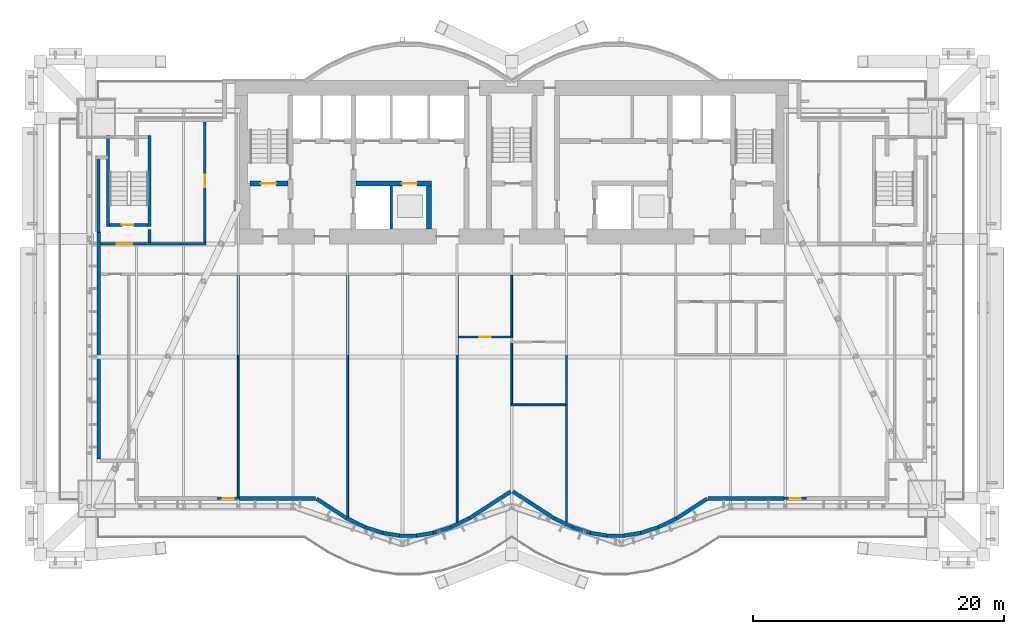
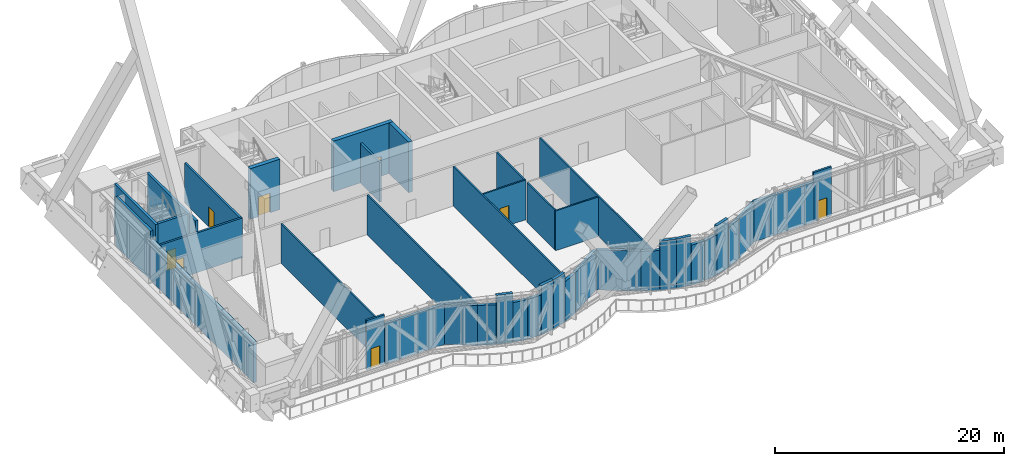
# One storey, part 24 of 32: 42 walls, 8 doors, 8 openings.
"""IFC4 building model written with IfcOpenShell, lengths in metres."""

from ifc_helpers import new_model, si_unit, direction, frame, frame_2d, origin, place, context, subcontext, project, spatial, rectangle, extrude, material, layer, layer_set, layer_usage, type_object, element, fill, save


model = new_model("IFC4")

# Units and contexts
model_context = context("Model", 3, precision=1e-05, world=origin(), true_north=direction((0.0, 1.0)))
body_context = subcontext(model_context, "Body", "Model", "MODEL_VIEW")
ifc_project = project(units=[si_unit("LENGTHUNIT", "METRE"), si_unit("AREAUNIT", "SQUARE_METRE"), si_unit("VOLUMEUNIT", "CUBIC_METRE"), si_unit("PLANEANGLEUNIT", "RADIAN"), si_unit("MASSUNIT", "GRAM", prefix="KILO")], contexts=[model_context])

# Site, building, storey
site_placement = place(None, origin())
site = spatial("IfcSite", under=ifc_project, at=site_placement, CompositionType="ELEMENT")
building_placement = place(site_placement, origin())
building = spatial("IfcBuilding", under=site, at=building_placement, Name="Bicima Exchange Tower", CompositionType="ELEMENT")
storey_placement = place(building_placement, frame((0.0, 0.0, 135.0)))
storey = spatial("IfcBuildingStorey", under=building, at=storey_placement, Name="L29", CompositionType="ELEMENT", Elevation=135.0)

# Wall, opening, door
ifc_material_1 = material(Name="Concrete C40/50", Category="concrete")
ifc_layer_1 = layer(ifc_material_1, 0.2)
ifc_layer_set_1 = layer_set([ifc_layer_1], Name="Concrete C40/50")
ifc_layer_usage_1 = layer_usage(ifc_layer_set_1, "AXIS2", "POSITIVE", -0.1)
wall_type_1 = type_object("IfcWallType", Name="Entrance frame wall 200", PredefinedType="STANDARD", material=ifc_layer_set_1)
wall_1_placement = place(storey_placement, frame((-21.64990234375, -33.238037109375, 0.0), z_axis=(0.0, 0.0, 1.0), x_axis=(-1.0, 0.0, 0.0)))
wall_1 = element("IfcWall", 1, at=wall_1_placement, inside=storey, type_object=wall_type_1, material=ifc_layer_usage_1, Name="Band door frame wall L29", PredefinedType="STANDARD", context=body_context, shape_type="SweptSolid", body=[
    extrude(rectangle(XDim=1.800048828125, YDim=0.199951171875, at=frame_2d((0.89990234375, 0.0))), origin(), (0.0, 0.0, 1.0), 5.25),
])
opening_1_placement = place(wall_1_placement, frame((0.449951171875, 0.0, 0.0)))
opening_1 = element("IfcOpeningElement", 2, at=opening_1_placement, cuts=wall_1, Name="Opening DX5", PredefinedType="OPENING", context=body_context, shape_type="SweptSolid", body=[
    extrude(rectangle(XDim=0.89990234375, YDim=2.10009765625, at=frame_2d((0.449951171875, 1.050048828125))), frame((0.0, 0.11181640625, 0.0), z_axis=(0.0, -1.0, 0.0), x_axis=(1.0, 0.0, 0.0)), (0.0, 0.0, 1.0), 0.223876953125),
])
ifc_material_2 = material(Name="Anodised bronze aluminium and bonded safety glass", Category="aluminium")
door_type_1 = type_object("IfcDoorType", Name="Band terrace door, single leaf 900 x 2100", OperationType="SINGLE_SWING_LEFT", PredefinedType="DOOR", material=ifc_material_2)
door_1_placement = place(opening_1_placement, origin())
door_1 = element("IfcDoor", 3, at=door_1_placement, inside=storey, type_object=door_type_1, Name="Band door door L29", OperationType="SINGLE_SWING_LEFT", OverallHeight=2.10009765625, OverallWidth=0.89990234375, PredefinedType="DOOR", context=body_context, shape_type="SweptSolid", body=[
    extrude(rectangle(XDim=0.89990234375, YDim=2.10009765625, at=frame_2d((0.449951171875, 1.050048828125))), frame((0.0, 0.02490234375, 0.0), z_axis=(0.0, -1.0, 0.0), x_axis=(1.0, 0.0, 0.0)), (0.0, 0.0, 1.0), 0.050048828125),
])
fill(opening_1, door_1)

wall_2_placement = place(storey_placement, frame((23.449951171875, -33.238037109375, 0.0), z_axis=(0.0, 0.0, 1.0), x_axis=(-1.0, 0.0, 0.0)))
wall_2 = element("IfcWall", 4, at=wall_2_placement, inside=storey, type_object=wall_type_1, material=ifc_layer_usage_1, Name="Band door frame wall L29", PredefinedType="STANDARD", context=body_context, shape_type="SweptSolid", body=[
    extrude(rectangle(XDim=1.800048828125, YDim=0.199951171875, at=frame_2d((0.89990234375, 0.0))), origin(), (0.0, 0.0, 1.0), 5.25),
])
opening_2_placement = place(wall_2_placement, frame((0.449951171875, 0.0, 0.0)))
opening_2 = element("IfcOpeningElement", 5, at=opening_2_placement, cuts=wall_2, Name="Opening DX5", PredefinedType="OPENING", context=body_context, shape_type="SweptSolid", body=[
    extrude(rectangle(XDim=0.89990234375, YDim=2.10009765625, at=frame_2d((0.449951171875, 1.050048828125))), frame((0.0, 0.11181640625, 0.0), z_axis=(0.0, -1.0, 0.0), x_axis=(1.0, 0.0, 0.0)), (0.0, 0.0, 1.0), 0.223876953125),
])
door_2_placement = place(opening_2_placement, origin())
door_2 = element("IfcDoor", 6, at=door_2_placement, inside=storey, type_object=door_type_1, Name="Band door door L29", OperationType="SINGLE_SWING_LEFT", OverallHeight=2.10009765625, OverallWidth=0.89990234375, PredefinedType="DOOR", context=body_context, shape_type="SweptSolid", body=[
    extrude(rectangle(XDim=0.89990234375, YDim=2.10009765625, at=frame_2d((0.449951171875, 1.050048828125))), frame((0.0, 0.02490234375, 0.0), z_axis=(0.0, -1.0, 0.0), x_axis=(1.0, 0.0, 0.0)), (0.0, 0.0, 1.0), 0.050048828125),
])
fill(opening_2, door_2)

# Wall
ifc_material_3 = material(Name="Gypsum board partition")
ifc_layer_2 = layer(ifc_material_3, 0.199951171875)
ifc_layer_set_2 = layer_set([ifc_layer_2], Name="Gypsum board partition")
wall_type_2 = type_object("IfcWallType", Name="Fire-rated gypsum partition 200 EI120", PredefinedType="PARTITIONING", material=ifc_layer_set_2)
wall_3_placement = place(storey_placement, frame((-9.60009765625, -11.800048828125, 0.0), z_axis=(0.0, 0.0, 1.0), x_axis=(0.0, 1.0, 0.0)))
element("IfcWall", 7, at=wall_3_placement, inside=storey, type_object=wall_type_2, Name="partition wall 11", PredefinedType="PARTITIONING", context=body_context, shape_type="SweptSolid", body=[
    extrude(rectangle(XDim=3.400146484375, YDim=0.199951171875, at=frame_2d((1.7001953125, 0.0))), origin(), (0.0, 0.0, 1.0), 4.239501953125),
])

# Wall, opening, door
ifc_layer_3 = layer(ifc_material_3, 0.199951171875)
ifc_layer_set_3 = layer_set([ifc_layer_3], Name="Gypsum board partition")
wall_type_3 = type_object("IfcWallType", Name="Fire-rated gypsum partition 200 EI60", PredefinedType="PARTITIONING", material=ifc_layer_set_3)
wall_4_placement = place(storey_placement, frame((-32.699951171875, -13.0, 0.0), z_axis=(0.0, 0.0, 1.0), x_axis=(1.0, 0.0, 0.0)))
wall_4 = element("IfcWall", 8, at=wall_4_placement, inside=storey, type_object=wall_type_3, Name="partition wall 9", PredefinedType="PARTITIONING", context=body_context, shape_type="SweptSolid", body=[
    extrude(rectangle(XDim=8.39990234375, YDim=0.199951171875, at=frame_2d((4.199951171875, 0.0))), origin(), (0.0, 0.0, 1.0), 4.239501953125),
])
opening_3_placement = place(wall_4_placement, frame((1.300048828125, 0.0, 0.0)))
opening_3 = element("IfcOpeningElement", 9, at=opening_3_placement, cuts=wall_4, Name="Opening L29-001", PredefinedType="OPENING", context=body_context, shape_type="SweptSolid", body=[
    extrude(rectangle(XDim=1.199951171875, YDim=2.10009765625, at=frame_2d((0.60009765625, 1.050048828125))), frame((0.0, 0.11181640625, 0.0), z_axis=(0.0, -1.0, 0.0), x_axis=(1.0, 0.0, 0.0)), (0.0, 0.0, 1.0), 0.223876953125),
])
ifc_material_4 = material(Name="Steel fire door leaf", Category="steel")
door_type_2 = type_object("IfcDoorType", Name="Door 1200 swing FD30S", OperationType="SINGLE_SWING_LEFT", PredefinedType="DOOR", material=ifc_material_4)
door_3_placement = place(opening_3_placement, origin())
door_3 = element("IfcDoor", 10, at=door_3_placement, inside=storey, type_object=door_type_2, Name="Door", OperationType="SINGLE_SWING_LEFT", OverallHeight=2.10009765625, OverallWidth=1.199951171875, PredefinedType="DOOR", context=body_context, shape_type="SweptSolid", body=[
    extrude(rectangle(XDim=1.199951171875, YDim=2.10009765625, at=frame_2d((0.60009765625, 1.050048828125))), frame((0.0, 0.02490234375, 0.0), z_axis=(0.0, -1.0, 0.0), x_axis=(1.0, 0.0, 0.0)), (0.0, 0.0, 1.0), 0.050048828125),
])
fill(opening_3, door_3)

wall_5_placement = place(storey_placement, frame((-24.39990234375, -12.89990234375, 0.0), z_axis=(0.0, 0.0, 1.0), x_axis=(0.0, 1.0, 0.0)))
wall_5 = element("IfcWall", 11, at=wall_5_placement, inside=storey, type_object=wall_type_3, Name="partition wall 18", PredefinedType="PARTITIONING", context=body_context, shape_type="SweptSolid", body=[
    extrude(rectangle(XDim=9.599853515625, YDim=0.199951171875, at=frame_2d((4.7998046875, 0.0))), origin(), (0.0, 0.0, 1.0), 4.239501953125),
])
opening_4_placement = place(wall_5_placement, frame((4.39990234375, 0.0, 0.0)))
opening_4 = element("IfcOpeningElement", 12, at=opening_4_placement, cuts=wall_5, Name="Opening L29-005", PredefinedType="OPENING", context=body_context, shape_type="SweptSolid", body=[
    extrude(rectangle(XDim=1.0, YDim=2.10009765625, at=frame_2d((0.5, 1.050048828125))), frame((0.0, 0.11181640625, 0.0), z_axis=(0.0, -1.0, 0.0), x_axis=(1.0, 0.0, 0.0)), (0.0, 0.0, 1.0), 0.223876953125),
])
door_type_3 = type_object("IfcDoorType", Name="Door 1000 swing FD30S", OperationType="SINGLE_SWING_LEFT", PredefinedType="DOOR", material=ifc_material_4)
door_4_placement = place(opening_4_placement, origin())
door_4 = element("IfcDoor", 13, at=door_4_placement, inside=storey, type_object=door_type_3, Name="Door", OperationType="SINGLE_SWING_LEFT", OverallHeight=2.10009765625, OverallWidth=1.0, PredefinedType="DOOR", context=body_context, shape_type="SweptSolid", body=[
    extrude(rectangle(XDim=1.0, YDim=2.10009765625, at=frame_2d((0.5, 1.050048828125))), frame((0.0, 0.02490234375, 0.0), z_axis=(0.0, -1.0, 0.0), x_axis=(1.0, 0.0, 0.0)), (0.0, 0.0, 1.0), 0.050048828125),
])
fill(opening_4, door_4)

# Wall
ifc_layer_4 = layer(ifc_material_3, 0.14990234375)
ifc_layer_set_4 = layer_set([ifc_layer_4], Name="Gypsum board partition")
wall_type_4 = type_object("IfcWallType", Name="Gypsum partition 150", PredefinedType="PARTITIONING", material=ifc_layer_set_4)
wall_6_placement = place(storey_placement, frame((-0.074951171875, -25.800048828125, 0.0), z_axis=(0.0, 0.0, 1.0), x_axis=(1.0, 0.0, 0.0)))
element("IfcWall", 14, at=wall_6_placement, inside=storey, type_object=wall_type_4, Name="partition wall 1", PredefinedType="PARTITIONING", context=body_context, shape_type="SweptSolid", body=[
    extrude(rectangle(XDim=4.349853515625, YDim=0.14990234375, at=frame_2d((2.1748046875, 0.0))), origin(), (0.0, 0.0, 1.0), 4.239501953125),
])

# Wall, opening, door
wall_7_placement = place(storey_placement, frame((-4.27490234375, -20.39990234375, 0.0), z_axis=(0.0, 0.0, 1.0), x_axis=(1.0, 0.0, 0.0)))
wall_7 = element("IfcWall", 15, at=wall_7_placement, inside=storey, type_object=wall_type_4, Name="partition wall 6", PredefinedType="PARTITIONING", context=body_context, shape_type="SweptSolid", body=[
    extrude(rectangle(XDim=4.349853515625, YDim=0.14990234375, at=frame_2d((2.1748046875, 0.0))), origin(), (0.0, 0.0, 1.0), 4.239501953125),
])
opening_5_placement = place(wall_7_placement, frame((1.699951171875, 0.0, 0.0)))
opening_5 = element("IfcOpeningElement", 16, at=opening_5_placement, cuts=wall_7, Name="Opening L29-012", PredefinedType="OPENING", context=body_context, shape_type="SweptSolid", body=[
    extrude(rectangle(XDim=0.89990234375, YDim=2.10009765625, at=frame_2d((0.449951171875, 1.050048828125))), frame((0.0, 0.0869140625, 0.0), z_axis=(0.0, -1.0, 0.0), x_axis=(1.0, 0.0, 0.0)), (0.0, 0.0, 1.0), 0.173828125),
])
ifc_material_5 = material(Name="Timber door leaf", Category="wood")
door_type_4 = type_object("IfcDoorType", Name="Door 900 swing", OperationType="SINGLE_SWING_LEFT", PredefinedType="DOOR", material=ifc_material_5)
door_5_placement = place(opening_5_placement, origin())
door_5 = element("IfcDoor", 17, at=door_5_placement, inside=storey, type_object=door_type_4, Name="Door", OperationType="SINGLE_SWING_RIGHT", OverallHeight=2.10009765625, OverallWidth=0.89990234375, PredefinedType="DOOR", context=body_context, shape_type="SweptSolid", body=[
    extrude(rectangle(XDim=0.89990234375, YDim=2.10009765625, at=frame_2d((0.449951171875, 1.050048828125))), frame((0.0, 0.02490234375, 0.0), z_axis=(0.0, -1.0, 0.0), x_axis=(1.0, 0.0, 0.0)), (0.0, 0.0, 1.0), 0.050048828125),
])
fill(opening_5, door_5)

# Walls
wall_8_placement = place(storey_placement, frame((-21.75, -33.090087890625, 0.0), z_axis=(0.0, 0.0, 1.0), x_axis=(0.0, 1.0, 0.0)))
element("IfcWall", 18, at=wall_8_placement, inside=storey, type_object=wall_type_4, Name="partition wall 19", PredefinedType="PARTITIONING", context=body_context, shape_type="SweptSolid", body=[
    extrude(rectangle(XDim=17.590087890625, YDim=0.14990234375, at=frame_2d((8.794921875, 0.0))), origin(), (0.0, 0.0, 1.0), 4.239501953125),
])
wall_9_placement = place(storey_placement, frame((-13.050048828125, -34.68994140625, 0.0), z_axis=(0.0, 0.0, 1.0), x_axis=(0.0, 1.0, 0.0)))
element("IfcWall", 19, at=wall_9_placement, inside=storey, type_object=wall_type_4, Name="partition wall 20", PredefinedType="PARTITIONING", context=body_context, shape_type="SweptSolid", body=[
    extrude(rectangle(XDim=19.18994140625, YDim=0.14990234375, at=frame_2d((9.594970703125, 0.0))), origin(), (0.0, 0.0, 1.0), 4.239501953125),
])
wall_10_placement = place(storey_placement, frame((-4.35009765625, -35.1298828125, 0.0), z_axis=(0.0, 0.0, 1.0), x_axis=(0.0, 1.0, 0.0)))
element("IfcWall", 20, at=wall_10_placement, inside=storey, type_object=wall_type_4, Name="partition wall 21", PredefinedType="PARTITIONING", context=body_context, shape_type="SweptSolid", body=[
    extrude(rectangle(XDim=19.6298828125, YDim=0.14990234375, at=frame_2d((9.81494140625, 0.0))), origin(), (0.0, 0.0, 1.0), 4.239501953125),
])
wall_11_placement = place(storey_placement, frame((0.0, -25.72509765625, 0.0), z_axis=(0.0, 0.0, 1.0), x_axis=(0.0, 1.0, 0.0)))
element("IfcWall", 21, at=wall_11_placement, inside=storey, type_object=wall_type_4, Name="partition wall 22", PredefinedType="PARTITIONING", context=body_context, shape_type="SweptSolid", body=[
    extrude(rectangle(XDim=4.85009765625, YDim=0.14990234375, at=frame_2d((2.425048828125, 0.0))), origin(), (0.0, 0.0, 1.0), 4.239501953125),
])
wall_12_placement = place(storey_placement, frame((0.0, -20.324951171875, 0.0), z_axis=(0.0, 0.0, 1.0), x_axis=(0.0, 1.0, 0.0)))
element("IfcWall", 22, at=wall_12_placement, inside=storey, type_object=wall_type_4, Name="partition wall 23", PredefinedType="PARTITIONING", context=body_context, shape_type="SweptSolid", body=[
    extrude(rectangle(XDim=4.824951171875, YDim=0.14990234375, at=frame_2d((2.41259765625, 0.0))), origin(), (0.0, 0.0, 1.0), 4.239501953125),
])
wall_13_placement = place(storey_placement, frame((4.35009765625, -35.1298828125, 0.0), z_axis=(0.0, 0.0, 1.0), x_axis=(0.0, 1.0, 0.0)))
element("IfcWall", 23, at=wall_13_placement, inside=storey, type_object=wall_type_4, Name="partition wall 24", PredefinedType="PARTITIONING", context=body_context, shape_type="SweptSolid", body=[
    extrude(rectangle(XDim=19.6298828125, YDim=0.14990234375, at=frame_2d((9.81494140625, 0.0))), origin(), (0.0, 0.0, 1.0), 4.239501953125),
])
ifc_material_6 = material(Name="Concrete C50/60", Category="concrete")
ifc_layer_5 = layer(ifc_material_6, 0.25)
ifc_layer_set_5 = layer_set([ifc_layer_5], Name="Concrete C50/60")
wall_type_5 = type_object("IfcWallType", Name="RC core wall 250 C50/60", PredefinedType="SHEAR", material=ifc_layer_set_5)
wall_14_placement = place(storey_placement, frame((-28.800048828125, -12.89990234375, 0.0), z_axis=(0.0, 0.0, 1.0), x_axis=(0.0, 1.0, 0.0)))
element("IfcWall", 24, at=wall_14_placement, inside=storey, type_object=wall_type_5, Name="stair wall 17", PredefinedType="SHEAR", context=body_context, shape_type="SweptSolid", body=[
    extrude(rectangle(XDim=1.0498046875, YDim=0.25, at=frame_2d((0.52490234375, 0.0))), origin(), (0.0, 0.0, 1.0), 5.39990234375),
])

# Wall, opening, door
ifc_layer_6 = layer(ifc_material_6, 0.39990234375)
ifc_layer_set_6 = layer_set([ifc_layer_6], Name="Concrete C50/60")
wall_type_6 = type_object("IfcWallType", Name="RC core wall 400 C50/60", PredefinedType="SHEAR", material=ifc_layer_set_6)
wall_15_placement = place(storey_placement, frame((-20.800048828125, -8.199951171875, 0.0), z_axis=(0.0, 0.0, 1.0), x_axis=(1.0, 0.0, 0.0)))
wall_15 = element("IfcWall", 25, at=wall_15_placement, inside=storey, type_object=wall_type_6, Name="stair wall 1", PredefinedType="SHEAR", context=body_context, shape_type="SweptSolid", body=[
    extrude(rectangle(XDim=3.0, YDim=0.39990234375, at=frame_2d((1.5, 0.0))), origin(), (0.0, 0.0, 1.0), 5.39990234375),
])
opening_6_placement = place(wall_15_placement, frame((0.85009765625, 0.0, 0.0)))
opening_6 = element("IfcOpeningElement", 26, at=opening_6_placement, cuts=wall_15, Name="Opening L29-C01", PredefinedType="OPENING", context=body_context, shape_type="SweptSolid", body=[
    extrude(rectangle(XDim=1.199951171875, YDim=2.10009765625, at=frame_2d((0.60009765625, 1.050048828125))), frame((0.0, 0.2119140625, 0.0), z_axis=(0.0, -1.0, 0.0), x_axis=(1.0, 0.0, 0.0)), (0.0, 0.0, 1.0), 0.423828125),
])
door_type_5 = type_object("IfcDoorType", Name="Door 1200 swing FD60S", OperationType="SINGLE_SWING_LEFT", PredefinedType="DOOR", material=ifc_material_4)
door_6_placement = place(opening_6_placement, origin())
door_6 = element("IfcDoor", 27, at=door_6_placement, inside=storey, type_object=door_type_5, Name="Core door", OperationType="SINGLE_SWING_LEFT", OverallHeight=2.10009765625, OverallWidth=1.199951171875, PredefinedType="DOOR", context=body_context, shape_type="SweptSolid", body=[
    extrude(rectangle(XDim=1.199951171875, YDim=2.10009765625, at=frame_2d((0.60009765625, 1.050048828125))), frame((0.0, 0.02490234375, 0.0), z_axis=(0.0, -1.0, 0.0), x_axis=(1.0, 0.0, 0.0)), (0.0, 0.0, 1.0), 0.050048828125),
])
fill(opening_6, door_6)

ifc_material_7 = material(Name="Concrete C60/75", Category="concrete")
ifc_layer_7 = layer(ifc_material_7, 0.39990234375)
ifc_layer_set_7 = layer_set([ifc_layer_7], Name="Concrete C60/75")
wall_type_7 = type_object("IfcWallType", Name="RC core wall 400 C60/75", PredefinedType="SHEAR", material=ifc_layer_set_7)
wall_16_placement = place(storey_placement, frame((-12.39990234375, -8.199951171875, 0.0), z_axis=(0.0, 0.0, 1.0), x_axis=(1.0, 0.0, 0.0)))
wall_16 = element("IfcWall", 28, at=wall_16_placement, inside=storey, type_object=wall_type_7, Name="shear wall 2", PredefinedType="SHEAR", context=body_context, shape_type="SweptSolid", body=[
    extrude(rectangle(XDim=6.0, YDim=0.39990234375, at=frame_2d((3.0, 0.0))), origin(), (0.0, 0.0, 1.0), 5.39990234375),
])
opening_7_placement = place(wall_16_placement, frame((3.64990234375, 0.0, 0.0)))
opening_7 = element("IfcOpeningElement", 29, at=opening_7_placement, cuts=wall_16, Name="Opening LD-MB1-L29", PredefinedType="OPENING", context=body_context, shape_type="SweptSolid", body=[
    extrude(rectangle(XDim=1.199951171875, YDim=2.10009765625, at=frame_2d((0.60009765625, 1.050048828125))), frame((0.0, 0.2119140625, 0.0), z_axis=(0.0, -1.0, 0.0), x_axis=(1.0, 0.0, 0.0)), (0.0, 0.0, 1.0), 0.423828125),
])
ifc_material_8 = material(Name="Stainless steel", Category="steel")
door_type_6 = type_object("IfcDoorType", Name="Lift landing door 1200 sliding", OperationType="DOUBLE_DOOR_SLIDING", PredefinedType="DOOR", material=ifc_material_8)
door_7_placement = place(opening_7_placement, origin())
door_7 = element("IfcDoor", 30, at=door_7_placement, inside=storey, type_object=door_type_6, Name="Lift landing door MB1", OperationType="DOUBLE_DOOR_SLIDING", OverallHeight=2.10009765625, OverallWidth=1.199951171875, PredefinedType="DOOR", context=body_context, shape_type="SweptSolid", body=[
    extrude(rectangle(XDim=1.199951171875, YDim=2.10009765625, at=frame_2d((0.60009765625, 1.050048828125))), frame((0.0, 0.02490234375, 0.0), z_axis=(0.0, -1.0, 0.0), x_axis=(1.0, 0.0, 0.0)), (0.0, 0.0, 1.0), 0.050048828125),
])
fill(opening_7, door_7)

# Walls
wall_17_placement = place(storey_placement, frame((-6.60009765625, -11.800048828125, 0.0), z_axis=(0.0, 0.0, 1.0), x_axis=(0.0, 1.0, 0.0)))
element("IfcWall", 31, at=wall_17_placement, inside=storey, type_object=wall_type_7, Name="shear wall 13", PredefinedType="SHEAR", context=body_context, shape_type="SweptSolid", body=[
    extrude(rectangle(XDim=3.400146484375, YDim=0.39990234375, at=frame_2d((1.7001953125, 0.0))), origin(), (0.0, 0.0, 1.0), 5.39990234375),
])
ifc_layer_8 = layer(ifc_material_6, 0.25)
ifc_layer_set_8 = layer_set([ifc_layer_8], Name="Concrete C50/60")
wall_type_8 = type_object("IfcWallType", Name="RC stair enclosure wall 250 C50/60", PredefinedType="SHEAR", material=ifc_layer_set_8)
for number, where, z_axis, x_axis, name in (
    (32, (-32.10009765625, -11.625, 0.0), (0.0, 0.0, 1.0), (0.0, 1.0, 0.0), "West end exit stair wall W"),
    (33, (-28.800048828125, -11.625, 0.0), (0.0, 0.0, 1.0), (0.0, 1.0, 0.0), "West end exit stair wall E"),
):
    element("IfcWall", number, at=place(storey_placement, frame(where, z_axis=z_axis, x_axis=x_axis)), inside=storey, type_object=wall_type_8, Name=name, PredefinedType="SHEAR", context=body_context, shape_type="SweptSolid", body=[
        extrude(rectangle(XDim=7.25, YDim=0.25, at=frame_2d((3.625, 0.0))), origin(), (0.0, 0.0, 1.0), 5.39990234375),
    ])

# Wall, opening, door
wall_18_placement = place(storey_placement, frame((-31.97509765625, -11.5, 0.0), z_axis=(0.0, 0.0, 1.0), x_axis=(1.0, 0.0, 0.0)))
wall_18 = element("IfcWall", 34, at=wall_18_placement, inside=storey, type_object=wall_type_8, Name="West end exit stair wall S", PredefinedType="SHEAR", context=body_context, shape_type="SweptSolid", body=[
    extrude(rectangle(XDim=3.050048828125, YDim=0.25, at=frame_2d((1.52490234375, 0.0))), origin(), (0.0, 0.0, 1.0), 5.39990234375),
])
opening_8_placement = place(wall_18_placement, frame((0.97509765625, 0.0, 0.0)))
opening_8 = element("IfcOpeningElement", 35, at=opening_8_placement, cuts=wall_18, Name="Opening L29-002", PredefinedType="OPENING", context=body_context, shape_type="SweptSolid", body=[
    extrude(rectangle(XDim=0.89990234375, YDim=2.10009765625, at=frame_2d((0.449951171875, 1.050048828125))), frame((0.0, 0.136962890625, 0.0), z_axis=(0.0, -1.0, 0.0), x_axis=(1.0, 0.0, 0.0)), (0.0, 0.0, 1.0), 0.27392578125),
])
door_type_7 = type_object("IfcDoorType", Name="Door 900 swing FD60S", OperationType="SINGLE_SWING_LEFT", PredefinedType="DOOR", material=ifc_material_4)
door_8_placement = place(opening_8_placement, origin())
door_8 = element("IfcDoor", 36, at=door_8_placement, inside=storey, type_object=door_type_7, Name="Door", OperationType="SINGLE_SWING_LEFT", OverallHeight=2.10009765625, OverallWidth=0.89990234375, PredefinedType="DOOR", context=body_context, shape_type="SweptSolid", body=[
    extrude(rectangle(XDim=0.89990234375, YDim=2.10009765625, at=frame_2d((0.449951171875, 1.050048828125))), frame((0.0, 0.02490234375, 0.0), z_axis=(0.0, -1.0, 0.0), x_axis=(1.0, 0.0, 0.0)), (0.0, 0.0, 1.0), 0.050048828125),
])
fill(opening_8, door_8)

# Walls
ifc_layer_9 = layer(ifc_material_1, 0.25)
ifc_layer_set_9 = layer_set([ifc_layer_9], Name="Concrete C40/50")
ifc_layer_usage_2 = layer_usage(ifc_layer_set_9, "AXIS2", "POSITIVE", -0.125)
wall_type_9 = type_object("IfcWallType", Name="Rear backup wall 250", PredefinedType="STANDARD", material=ifc_layer_set_9)
wall_19_placement = place(storey_placement, frame((-32.875, -6.0, 0.0), z_axis=(0.0, 0.0, 1.0), x_axis=(0.0, -1.0, 0.0)))
element("IfcWall", 37, at=wall_19_placement, inside=storey, type_object=wall_type_9, material=ifc_layer_usage_2, Name="Rear backup wall L29 31", PredefinedType="STANDARD", context=body_context, shape_type="SweptSolid", body=[
    extrude(rectangle(XDim=6.090087890625, YDim=0.25, at=frame_2d((3.044921875, 0.0))), origin(), (0.0, 0.0, 1.0), 5.25),
])
ifc_layer_10 = layer(ifc_material_1, 0.3)
ifc_layer_set_10 = layer_set([ifc_layer_10], Name="Concrete C40/50")
ifc_layer_usage_3 = layer_usage(ifc_layer_set_10, "AXIS2", "POSITIVE", -0.15)
wall_type_10 = type_object("IfcWallType", Name="Refuge band wall 300", PredefinedType="STANDARD", material=ifc_layer_set_10)
wall_20_placement = place(storey_placement, frame((-32.85009765625, -12.0, 0.0), z_axis=(0.0, 0.0, 1.0), x_axis=(0.0, -1.0, 0.0)))
element("IfcWall", 38, at=wall_20_placement, inside=storey, type_object=wall_type_10, material=ifc_layer_usage_3, Name="Refuge band wall L29", PredefinedType="STANDARD", context=body_context, shape_type="SweptSolid", body=[
    extrude(rectangle(XDim=18.112060546875, YDim=0.300048828125, at=frame_2d((9.05615234375, 0.0))), origin(), (0.0, 0.0, 1.0), 4.338134765625),
])
wall_21_placement = place(storey_placement, frame((-21.64990234375, -33.238037109375, 0.0), z_axis=(0.0, 0.0, 1.0), x_axis=(1.0, 0.0, 0.0)))
element("IfcWall", 39, at=wall_21_placement, inside=storey, type_object=wall_type_10, material=ifc_layer_usage_3, Name="Refuge band wall L29", PredefinedType="STANDARD", context=body_context, shape_type="SweptSolid", body=[
    extrude(rectangle(XDim=6.03515625, YDim=0.300048828125, at=frame_2d((3.017578125, 0.0))), origin(), (0.0, 0.0, 1.0), 4.27978515625),
])
wall_22_placement = place(storey_placement, frame((-15.533203125, -33.261962890625, 0.0), z_axis=(0.0, 0.0, 1.0), x_axis=(0.839779682339, -0.542927329512, 0.0)))
element("IfcWall", 40, at=wall_22_placement, inside=storey, type_object=wall_type_10, material=ifc_layer_usage_3, Name="Refuge band wall L29", PredefinedType="STANDARD", context=body_context, shape_type="SweptSolid", body=[
    extrude(rectangle(XDim=2.875244140625, YDim=0.300048828125, at=frame_2d((1.4375, 0.0))), origin(), (0.0, 0.0, 1.0), 4.259521484375),
])
wall_23_placement = place(storey_placement, frame((-13.11865234375, -34.822998046875, 0.0), z_axis=(0.0, 0.0, 1.0), x_axis=(0.899798026589, -0.436306671214, 0.0)))
element("IfcWall", 41, at=wall_23_placement, inside=storey, type_object=wall_type_10, material=ifc_layer_usage_3, Name="Refuge band wall L29", PredefinedType="STANDARD", context=body_context, shape_type="SweptSolid", body=[
    extrude(rectangle(XDim=1.62548828125, YDim=0.300048828125, at=frame_2d((0.812744140625, 0.0))), origin(), (0.0, 0.0, 1.0), 4.259521484375),
])
wall_24_placement = place(storey_placement, frame((-11.656005859375, -35.5322265625, 0.0), z_axis=(0.0, 0.0, 1.0), x_axis=(0.951539081691, -0.307527845919, 0.0)))
element("IfcWall", 42, at=wall_24_placement, inside=storey, type_object=wall_type_10, material=ifc_layer_usage_3, Name="Refuge band wall L29", PredefinedType="STANDARD", context=body_context, shape_type="SweptSolid", body=[
    extrude(rectangle(XDim=1.467041015625, YDim=0.300048828125, at=frame_2d((0.7333984375, 0.0))), origin(), (0.0, 0.0, 1.0), 5.25),
])
wall_25_placement = place(storey_placement, frame((-10.260009765625, -35.9833984375, 0.0), z_axis=(0.0, 0.0, 1.0), x_axis=(0.987194777017, -0.15951950423, 0.0)))
element("IfcWall", 43, at=wall_25_placement, inside=storey, type_object=wall_type_10, material=ifc_layer_usage_3, Name="Refuge band wall L29", PredefinedType="STANDARD", context=body_context, shape_type="SweptSolid", body=[
    extrude(rectangle(XDim=1.36376953125, YDim=0.300048828125, at=frame_2d((0.681884765625, 0.0))), origin(), (0.0, 0.0, 1.0), 4.259521484375),
])
wall_26_placement = place(storey_placement, frame((-8.913818359375, -36.200927734375, 0.0), z_axis=(0.0, 0.0, 1.0), x_axis=(1.0, 0.0, 0.0)))
element("IfcWall", 44, at=wall_26_placement, inside=storey, type_object=wall_type_10, material=ifc_layer_usage_3, Name="Refuge band wall L29", PredefinedType="STANDARD", context=body_context, shape_type="SweptSolid", body=[
    extrude(rectangle(XDim=1.32763671875, YDim=0.300048828125, at=frame_2d((0.663818359375, 0.0))), origin(), (0.0, 0.0, 1.0), 4.259521484375),
])
wall_27_placement = place(storey_placement, frame((-7.586181640625, -36.200927734375, 0.0), z_axis=(0.0, 0.0, 1.0), x_axis=(0.987194777017, 0.15951950423, 0.0)))
element("IfcWall", 45, at=wall_27_placement, inside=storey, type_object=wall_type_10, material=ifc_layer_usage_3, Name="Refuge band wall L29", PredefinedType="STANDARD", context=body_context, shape_type="SweptSolid", body=[
    extrude(rectangle(XDim=1.36376953125, YDim=0.300048828125, at=frame_2d((0.681884765625, 0.0))), origin(), (0.0, 0.0, 1.0), 5.25),
])
wall_28_placement = place(storey_placement, frame((-6.239990234375, -35.9833984375, 0.0), z_axis=(0.0, 0.0, 1.0), x_axis=(0.951539081691, 0.307527845919, 0.0)))
element("IfcWall", 46, at=wall_28_placement, inside=storey, type_object=wall_type_10, material=ifc_layer_usage_3, Name="Refuge band wall L29", PredefinedType="STANDARD", context=body_context, shape_type="SweptSolid", body=[
    extrude(rectangle(XDim=1.467041015625, YDim=0.300048828125, at=frame_2d((0.7333984375, 0.0))), origin(), (0.0, 0.0, 1.0), 5.25),
])
wall_29_placement = place(storey_placement, frame((-4.843994140625, -35.5322265625, 0.0), z_axis=(0.0, 0.0, 1.0), x_axis=(0.899798026589, 0.436306671214, 0.0)))
element("IfcWall", 47, at=wall_29_placement, inside=storey, type_object=wall_type_10, material=ifc_layer_usage_3, Name="Refuge band wall L29", PredefinedType="STANDARD", context=body_context, shape_type="SweptSolid", body=[
    extrude(rectangle(XDim=1.62548828125, YDim=0.300048828125, at=frame_2d((0.812744140625, 0.0))), origin(), (0.0, 0.0, 1.0), 4.259521484375),
])
for number, where, z_axis, x_axis, name in (
    (48, (-3.38134765625, -34.822998046875, 0.0), (0.0, 0.0, 1.0), (0.839805110115, 0.542887996759, 0.0), "Refuge band wall L29"),
    (49, (0.081298828125, -32.689697265625, 0.0), (0.0, 0.0, 1.0), (0.839805110115, -0.542887996759, 0.0), "Refuge band wall L29"),
):
    element("IfcWall", number, at=place(storey_placement, frame(where, z_axis=z_axis, x_axis=x_axis)), inside=storey, type_object=wall_type_10, material=ifc_layer_usage_3, Name=name, PredefinedType="STANDARD", context=body_context, shape_type="SweptSolid", body=[
        extrude(rectangle(XDim=3.929443359375, YDim=0.300048828125, at=frame_2d((1.96484375, 0.0))), origin(), (0.0, 0.0, 1.0), 4.27978515625),
    ])
wall_30_placement = place(storey_placement, frame((3.38134765625, -34.822998046875, 0.0), z_axis=(0.0, 0.0, 1.0), x_axis=(0.899798026589, -0.436306671214, 0.0)))
element("IfcWall", 50, at=wall_30_placement, inside=storey, type_object=wall_type_10, material=ifc_layer_usage_3, Name="Refuge band wall L29", PredefinedType="STANDARD", context=body_context, shape_type="SweptSolid", body=[
    extrude(rectangle(XDim=1.62548828125, YDim=0.300048828125, at=frame_2d((0.812744140625, 0.0))), origin(), (0.0, 0.0, 1.0), 4.259521484375),
])
wall_31_placement = place(storey_placement, frame((4.843994140625, -35.5322265625, 0.0), z_axis=(0.0, 0.0, 1.0), x_axis=(0.951539081691, -0.307527845919, 0.0)))
element("IfcWall", 51, at=wall_31_placement, inside=storey, type_object=wall_type_10, material=ifc_layer_usage_3, Name="Refuge band wall L29", PredefinedType="STANDARD", context=body_context, shape_type="SweptSolid", body=[
    extrude(rectangle(XDim=1.467041015625, YDim=0.300048828125, at=frame_2d((0.7333984375, 0.0))), origin(), (0.0, 0.0, 1.0), 5.25),
])
wall_32_placement = place(storey_placement, frame((6.239990234375, -35.9833984375, 0.0), z_axis=(0.0, 0.0, 1.0), x_axis=(0.987194777017, -0.15951950423, 0.0)))
element("IfcWall", 52, at=wall_32_placement, inside=storey, type_object=wall_type_10, material=ifc_layer_usage_3, Name="Refuge band wall L29", PredefinedType="STANDARD", context=body_context, shape_type="SweptSolid", body=[
    extrude(rectangle(XDim=1.36376953125, YDim=0.300048828125, at=frame_2d((0.681884765625, 0.0))), origin(), (0.0, 0.0, 1.0), 5.25),
])
wall_33_placement = place(storey_placement, frame((7.586181640625, -36.200927734375, 0.0), z_axis=(0.0, 0.0, 1.0), x_axis=(1.0, 0.0, 0.0)))
element("IfcWall", 53, at=wall_33_placement, inside=storey, type_object=wall_type_10, material=ifc_layer_usage_3, Name="Refuge band wall L29", PredefinedType="STANDARD", context=body_context, shape_type="SweptSolid", body=[
    extrude(rectangle(XDim=1.32763671875, YDim=0.300048828125, at=frame_2d((0.663818359375, 0.0))), origin(), (0.0, 0.0, 1.0), 4.259521484375),
])
wall_34_placement = place(storey_placement, frame((8.913818359375, -36.200927734375, 0.0), z_axis=(0.0, 0.0, 1.0), x_axis=(0.987194777017, 0.15951950423, 0.0)))
element("IfcWall", 54, at=wall_34_placement, inside=storey, type_object=wall_type_10, material=ifc_layer_usage_3, Name="Refuge band wall L29", PredefinedType="STANDARD", context=body_context, shape_type="SweptSolid", body=[
    extrude(rectangle(XDim=1.36376953125, YDim=0.300048828125, at=frame_2d((0.681884765625, 0.0))), origin(), (0.0, 0.0, 1.0), 4.259521484375),
])
wall_35_placement = place(storey_placement, frame((10.260009765625, -35.9833984375, 0.0), z_axis=(0.0, 0.0, 1.0), x_axis=(0.951539081691, 0.307527845919, 0.0)))
element("IfcWall", 55, at=wall_35_placement, inside=storey, type_object=wall_type_10, material=ifc_layer_usage_3, Name="Refuge band wall L29", PredefinedType="STANDARD", context=body_context, shape_type="SweptSolid", body=[
    extrude(rectangle(XDim=1.467041015625, YDim=0.300048828125, at=frame_2d((0.7333984375, 0.0))), origin(), (0.0, 0.0, 1.0), 5.25),
])
wall_36_placement = place(storey_placement, frame((11.656005859375, -35.5322265625, 0.0), z_axis=(0.0, 0.0, 1.0), x_axis=(0.899798026589, 0.436306671214, 0.0)))
element("IfcWall", 56, at=wall_36_placement, inside=storey, type_object=wall_type_10, material=ifc_layer_usage_3, Name="Refuge band wall L29", PredefinedType="STANDARD", context=body_context, shape_type="SweptSolid", body=[
    extrude(rectangle(XDim=1.62548828125, YDim=0.300048828125, at=frame_2d((0.812744140625, 0.0))), origin(), (0.0, 0.0, 1.0), 4.259521484375),
])
wall_37_placement = place(storey_placement, frame((13.11865234375, -34.822998046875, 0.0), z_axis=(0.0, 0.0, 1.0), x_axis=(0.839779682339, 0.542927329512, 0.0)))
element("IfcWall", 57, at=wall_37_placement, inside=storey, type_object=wall_type_10, material=ifc_layer_usage_3, Name="Refuge band wall L29", PredefinedType="STANDARD", context=body_context, shape_type="SweptSolid", body=[
    extrude(rectangle(XDim=2.875244140625, YDim=0.300048828125, at=frame_2d((1.4375, 0.0))), origin(), (0.0, 0.0, 1.0), 4.259521484375),
])
wall_38_placement = place(storey_placement, frame((15.61474609375, -33.238037109375, 0.0), z_axis=(0.0, 0.0, 1.0), x_axis=(1.0, 0.0, 0.0)))
element("IfcWall", 58, at=wall_38_placement, inside=storey, type_object=wall_type_10, material=ifc_layer_usage_3, Name="Refuge band wall L29", PredefinedType="STANDARD", context=body_context, shape_type="SweptSolid", body=[
    extrude(rectangle(XDim=6.03515625, YDim=0.300048828125, at=frame_2d((3.017578125, 0.0))), origin(), (0.0, 0.0, 1.0), 4.27978515625),
])

save(model, "model.ifc")
